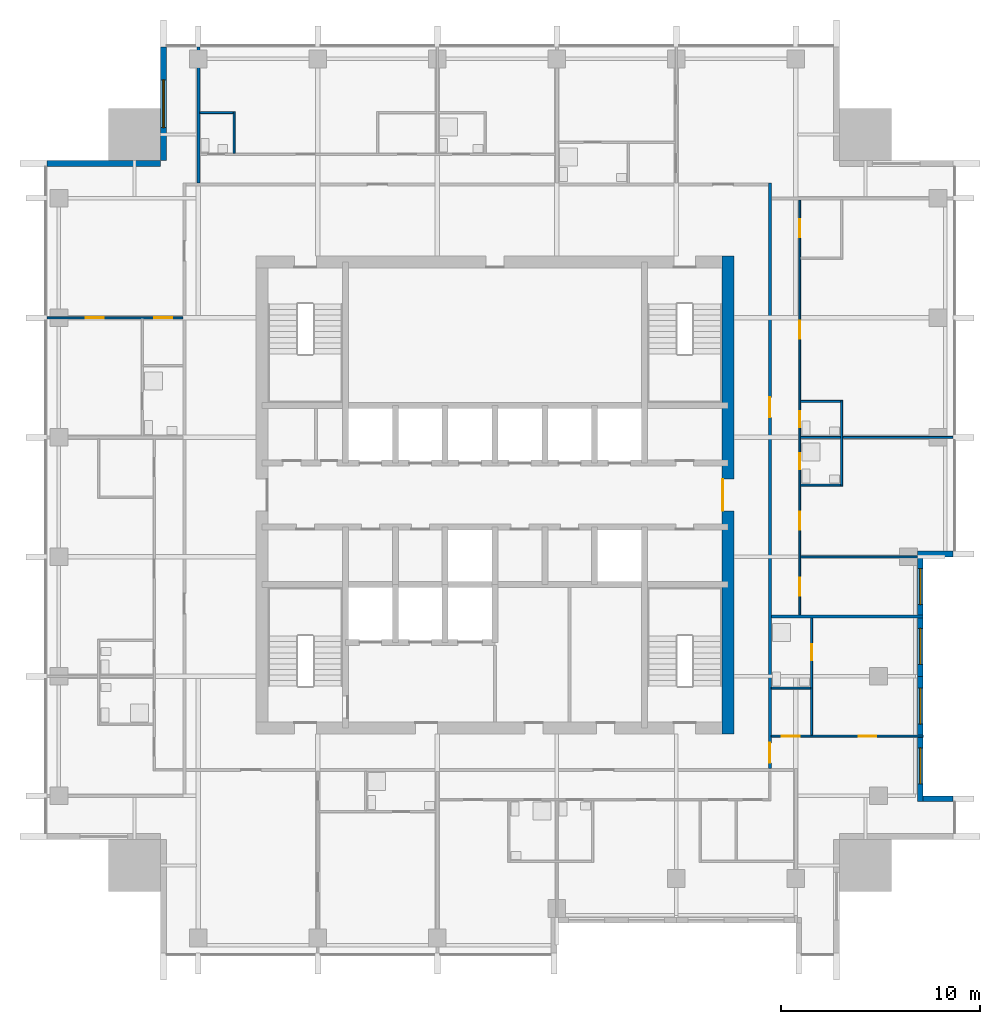
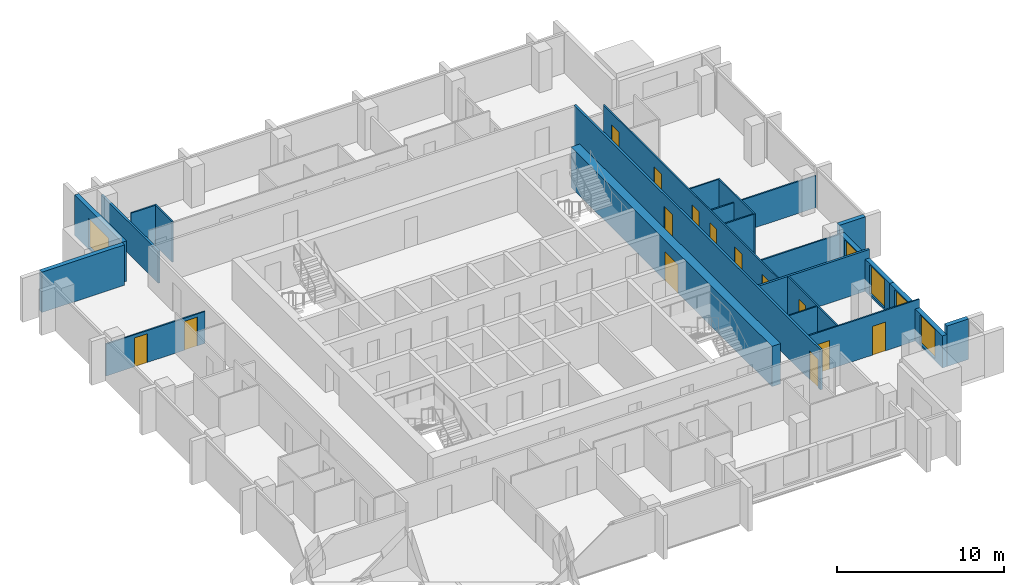
# One storey, part 6 of 10: 22 walls, 14 doors, 5 windows, 19 openings.
"""IFC4 building model written with IfcOpenShell, lengths in metres."""

from ifc_helpers import new_model, si_unit, direction, frame, frame_2d, origin, place, context, subcontext, project, spatial, rectangle, extrude, material, layer, layer_set, type_object, element, fill, save


model = new_model("IFC4")

# Units and contexts
model_context = context("Model", 3, precision=1e-05, world=origin(), true_north=direction((0.0, 1.0)))
body_context = subcontext(model_context, "Body", "Model", "MODEL_VIEW")
ifc_project = project(units=[si_unit("LENGTHUNIT", "METRE"), si_unit("AREAUNIT", "SQUARE_METRE"), si_unit("VOLUMEUNIT", "CUBIC_METRE"), si_unit("PLANEANGLEUNIT", "RADIAN"), si_unit("MASSUNIT", "GRAM", prefix="KILO")], contexts=[model_context])

# Site, building, storey
site_placement = place(None, origin())
site = spatial("IfcSite", under=ifc_project, at=site_placement, CompositionType="ELEMENT")
building_placement = place(site_placement, origin())
building = spatial("IfcBuilding", under=site, at=building_placement, Name="Amberfall Residences", CompositionType="ELEMENT")
storey_placement = place(building_placement, frame((0.0, 0.0, 226.60009765625)))
storey = spatial("IfcBuildingStorey", under=building, at=storey_placement, Name="L61", CompositionType="ELEMENT", Elevation=226.60009765625)

# Walls
ifc_material_1 = material(Name="Pale stone cladding on insulated backing", Category="masonry")
ifc_layer_1 = layer(ifc_material_1, 0.300048828125)
ifc_layer_set_1 = layer_set([ifc_layer_1], Name="Bronze clad wall 300")
wall_type_1 = type_object("IfcWallType", Name="Bronze clad wall 300", PredefinedType="SOLIDWALL", material=ifc_layer_set_1)
wall_1_placement = place(storey_placement, frame((97.5, 30.25, 0.0), z_axis=(0.0, 0.0, 1.0), x_axis=(-1.0, 0.0, 0.0)))
element("IfcWall", 1, at=wall_1_placement, inside=storey, type_object=wall_type_1, Name="External wall L61 E", PredefinedType="SOLIDWALL", context=body_context, shape_type="SweptSolid", body=[
    extrude(rectangle(XDim=1.5, YDim=0.300048828125, at=frame_2d((0.75, 0.0))), origin(), (0.0, 0.0, 1.0), 2.949951171875),
])
wall_2_placement = place(storey_placement, frame((95.699951171875, 42.550048828125, 0.0), z_axis=(0.0, 0.0, 1.0), x_axis=(1.0, 0.0, 0.0)))
element("IfcWall", 2, at=wall_2_placement, inside=storey, type_object=wall_type_1, Name="External wall L61 E", PredefinedType="SOLIDWALL", context=body_context, shape_type="SweptSolid", body=[
    extrude(rectangle(XDim=1.800048828125, YDim=0.300048828125, at=frame_2d((0.89990234375, 0.0))), origin(), (0.0, 0.0, 1.0), 2.949951171875),
])

# Wall, opening, window
wall_3_placement = place(storey_placement, frame((57.85009765625, 68.0, 0.0), z_axis=(0.0, 0.0, 1.0), x_axis=(0.0, -1.0, 0.0)))
wall_3 = element("IfcWall", 3, at=wall_3_placement, inside=storey, type_object=wall_type_1, Name="External wall L61 NW", PredefinedType="SOLIDWALL", context=body_context, shape_type="SweptSolid", body=[
    extrude(rectangle(XDim=5.699951171875, YDim=0.300048828125, at=frame_2d((2.85009765625, 0.0))), origin(), (0.0, 0.0, 1.0), 2.949951171875),
])
opening_1_placement = place(wall_3_placement, frame((1.64990234375, 0.0, 0.14990234375)))
opening_1 = element("IfcOpeningElement", 4, at=opening_1_placement, cuts=wall_3, Name="Opening WN5", PredefinedType="OPENING", context=body_context, shape_type="SweptSolid", body=[
    extrude(rectangle(XDim=2.39990234375, YDim=2.10009765625, at=frame_2d((1.199951171875, 1.050048828125))), frame((0.0, 0.159912109375, 0.0), z_axis=(0.0, -1.0, 0.0), x_axis=(1.0, 0.0, 0.0)), (0.0, 0.0, 1.0), 0.320068359375),
])
ifc_material_2 = material(Name="Bronze aluminium framed glazing", Category="aluminium")
window_type_1 = type_object("IfcWindowType", Name="Glazed opening 2400 x 2100 bronze", PartitioningType="DOUBLE_PANEL_VERTICAL", PredefinedType="WINDOW", material=ifc_material_2)
window_1_placement = place(opening_1_placement, origin())
window_1 = element("IfcWindow", 5, at=window_1_placement, inside=storey, type_object=window_type_1, Name="Window L61 NW", OverallHeight=2.10009765625, OverallWidth=2.39990234375, PartitioningType="DOUBLE_PANEL_VERTICAL", PredefinedType="WINDOW", context=body_context, shape_type="SweptSolid", body=[
    extrude(rectangle(XDim=2.39990234375, YDim=2.10009765625, at=frame_2d((1.199951171875, 1.050048828125))), frame((0.0, 0.030029296875, 0.0), z_axis=(0.0, -1.0, 0.0), x_axis=(1.0, 0.0, 0.0)), (0.0, 0.0, 1.0), 0.06005859375),
])
fill(opening_1, window_1)

# Wall
wall_4_placement = place(storey_placement, frame((57.699951171875, 62.14990234375, 0.0), z_axis=(0.0, 0.0, 1.0), x_axis=(-1.0, 0.0, 0.0)))
element("IfcWall", 6, at=wall_4_placement, inside=storey, type_object=wall_type_1, Name="External wall L61 NW", PredefinedType="SOLIDWALL", context=body_context, shape_type="SweptSolid", body=[
    extrude(rectangle(XDim=5.699951171875, YDim=0.300048828125, at=frame_2d((2.85009765625, 0.0))), origin(), (0.0, 0.0, 1.0), 2.949951171875),
])

# Wall, openings, windows
wall_5_placement = place(storey_placement, frame((95.85009765625, 30.10009765625, 0.0), z_axis=(0.0, 0.0, 1.0), x_axis=(0.0, 1.0, 0.0)))
wall_5 = element("IfcWall", 7, at=wall_5_placement, inside=storey, type_object=wall_type_1, Name="Stone wall L61 E", PredefinedType="SOLIDWALL", context=body_context, shape_type="SweptSolid", body=[
    extrude(rectangle(XDim=6.2998046875, YDim=0.300048828125, at=frame_2d((3.14990234375, 0.0))), origin(), (0.0, 0.0, 1.0), 2.34033203125),
])
opening_2_placement = place(wall_5_placement, frame((0.89990234375, 0.0, 0.14990234375)))
opening_2 = element("IfcOpeningElement", 8, at=opening_2_placement, cuts=wall_5, Name="Opening WN6", PredefinedType="OPENING", context=body_context, shape_type="SweptSolid", body=[
    extrude(rectangle(XDim=1.800048828125, YDim=2.10009765625, at=frame_2d((0.89990234375, 1.050048828125))), frame((0.0, 0.159912109375, 0.0), z_axis=(0.0, -1.0, 0.0), x_axis=(1.0, 0.0, 0.0)), (0.0, 0.0, 1.0), 0.320068359375),
])
opening_3_placement = place(wall_5_placement, frame((3.89990234375, 0.0, 0.14990234375)))
opening_3 = element("IfcOpeningElement", 9, at=opening_3_placement, cuts=wall_5, Name="Opening WN6", PredefinedType="OPENING", context=body_context, shape_type="SweptSolid", body=[
    extrude(rectangle(XDim=1.800048828125, YDim=2.10009765625, at=frame_2d((0.89990234375, 1.050048828125))), frame((0.0, 0.159912109375, 0.0), z_axis=(0.0, -1.0, 0.0), x_axis=(1.0, 0.0, 0.0)), (0.0, 0.0, 1.0), 0.320068359375),
])
window_type_2 = type_object("IfcWindowType", Name="Glazed opening 1800 x 2100 bronze", PartitioningType="DOUBLE_PANEL_VERTICAL", PredefinedType="WINDOW", material=ifc_material_2)
window_2_placement = place(opening_2_placement, origin())
window_2 = element("IfcWindow", 10, at=window_2_placement, inside=storey, type_object=window_type_2, Name="Window L61 E", OverallHeight=2.10009765625, OverallWidth=1.800048828125, PartitioningType="DOUBLE_PANEL_VERTICAL", PredefinedType="WINDOW", context=body_context, shape_type="SweptSolid", body=[
    extrude(rectangle(XDim=1.800048828125, YDim=2.10009765625, at=frame_2d((0.89990234375, 1.050048828125))), frame((0.0, 0.030029296875, 0.0), z_axis=(0.0, -1.0, 0.0), x_axis=(1.0, 0.0, 0.0)), (0.0, 0.0, 1.0), 0.06005859375),
])
fill(opening_2, window_2)
window_3_placement = place(opening_3_placement, origin())
window_3 = element("IfcWindow", 11, at=window_3_placement, inside=storey, type_object=window_type_2, Name="Window L61 E", OverallHeight=2.10009765625, OverallWidth=1.800048828125, PartitioningType="DOUBLE_PANEL_VERTICAL", PredefinedType="WINDOW", context=body_context, shape_type="SweptSolid", body=[
    extrude(rectangle(XDim=1.800048828125, YDim=2.10009765625, at=frame_2d((0.89990234375, 1.050048828125))), frame((0.0, 0.030029296875, 0.0), z_axis=(0.0, -1.0, 0.0), x_axis=(1.0, 0.0, 0.0)), (0.0, 0.0, 1.0), 0.06005859375),
])
fill(opening_3, window_3)

wall_6_placement = place(storey_placement, frame((95.85009765625, 36.39990234375, 0.0), z_axis=(0.0, 0.0, 1.0), x_axis=(0.0, 1.0, 0.0)))
wall_6 = element("IfcWall", 12, at=wall_6_placement, inside=storey, type_object=wall_type_1, Name="Stone wall L61 E", PredefinedType="SOLIDWALL", context=body_context, shape_type="SweptSolid", body=[
    extrude(rectangle(XDim=6.0, YDim=0.300048828125, at=frame_2d((3.0, 0.0))), origin(), (0.0, 0.0, 1.0), 2.34033203125),
])
opening_4_placement = place(wall_6_placement, frame((0.60009765625, 0.0, 0.14990234375)))
opening_4 = element("IfcOpeningElement", 13, at=opening_4_placement, cuts=wall_6, Name="Opening WN6", PredefinedType="OPENING", context=body_context, shape_type="SweptSolid", body=[
    extrude(rectangle(XDim=1.800048828125, YDim=2.10009765625, at=frame_2d((0.89990234375, 1.050048828125))), frame((0.0, 0.159912109375, 0.0), z_axis=(0.0, -1.0, 0.0), x_axis=(1.0, 0.0, 0.0)), (0.0, 0.0, 1.0), 0.320068359375),
])
opening_5_placement = place(wall_6_placement, frame((3.60009765625, 0.0, 0.14990234375)))
opening_5 = element("IfcOpeningElement", 14, at=opening_5_placement, cuts=wall_6, Name="Opening WN6", PredefinedType="OPENING", context=body_context, shape_type="SweptSolid", body=[
    extrude(rectangle(XDim=1.800048828125, YDim=2.10009765625, at=frame_2d((0.89990234375, 1.050048828125))), frame((0.0, 0.159912109375, 0.0), z_axis=(0.0, -1.0, 0.0), x_axis=(1.0, 0.0, 0.0)), (0.0, 0.0, 1.0), 0.320068359375),
])
window_4_placement = place(opening_4_placement, origin())
window_4 = element("IfcWindow", 15, at=window_4_placement, inside=storey, type_object=window_type_2, Name="Window L61 E", OverallHeight=2.10009765625, OverallWidth=1.800048828125, PartitioningType="DOUBLE_PANEL_VERTICAL", PredefinedType="WINDOW", context=body_context, shape_type="SweptSolid", body=[
    extrude(rectangle(XDim=1.800048828125, YDim=2.10009765625, at=frame_2d((0.89990234375, 1.050048828125))), frame((0.0, 0.030029296875, 0.0), z_axis=(0.0, -1.0, 0.0), x_axis=(1.0, 0.0, 0.0)), (0.0, 0.0, 1.0), 0.06005859375),
])
fill(opening_4, window_4)
window_5_placement = place(opening_5_placement, origin())
window_5 = element("IfcWindow", 16, at=window_5_placement, inside=storey, type_object=window_type_2, Name="Window L61 E", OverallHeight=2.10009765625, OverallWidth=1.800048828125, PartitioningType="DOUBLE_PANEL_VERTICAL", PredefinedType="WINDOW", context=body_context, shape_type="SweptSolid", body=[
    extrude(rectangle(XDim=1.800048828125, YDim=2.10009765625, at=frame_2d((0.89990234375, 1.050048828125))), frame((0.0, 0.030029296875, 0.0), z_axis=(0.0, -1.0, 0.0), x_axis=(1.0, 0.0, 0.0)), (0.0, 0.0, 1.0), 0.06005859375),
])
fill(opening_5, window_5)

# Wall, opening, door
ifc_material_3 = material(Name="Concrete C55", Category="concrete")
ifc_layer_2 = layer(ifc_material_3, 0.60009765625)
ifc_layer_set_2 = layer_set([ifc_layer_2], Name="Core wall 600 C55")
wall_type_2 = type_object("IfcWallType", Name="Core wall 600 C55", PredefinedType="SHEAR", material=ifc_layer_set_2)
wall_7_placement = place(storey_placement, frame((86.199951171875, 33.5, 0.0), z_axis=(0.0, 0.0, 1.0), x_axis=(0.0, 1.0, 0.0)))
wall_7 = element("IfcWall", 17, at=wall_7_placement, inside=storey, type_object=wall_type_2, Name="Core wall RW7 L61 OE", PredefinedType="SHEAR", context=body_context, shape_type="SweptSolid", body=[
    extrude(rectangle(XDim=24.0, YDim=0.60009765625, at=frame_2d((12.0, 0.0))), origin(), (0.0, 0.0, 1.0), 2.949951171875),
])
opening_6_placement = place(wall_7_placement, frame((11.199951171875, 0.0, 0.0)))
opening_6 = element("IfcOpeningElement", 18, at=opening_6_placement, cuts=wall_7, Name="Opening LB1", PredefinedType="OPENING", context=body_context, shape_type="SweptSolid", body=[
    extrude(rectangle(XDim=1.60009765625, YDim=2.10009765625, at=frame_2d((0.800048828125, 1.050048828125))), frame((0.0, 0.31005859375, 0.0), z_axis=(0.0, -1.0, 0.0), x_axis=(1.0, 0.0, 0.0)), (0.0, 0.0, 1.0), 0.6201171875),
])
ifc_material_4 = material(Name="Steel fire door set", Category="steel")
door_type_1 = type_object("IfcDoorType", Name="Lift lobby double door 1600 x 2100", OperationType="DOUBLE_DOOR_SINGLE_SWING", PredefinedType="DOOR", material=ifc_material_4)
door_1_placement = place(opening_6_placement, origin())
door_1 = element("IfcDoor", 19, at=door_1_placement, inside=storey, type_object=door_type_1, Name="LB1 L61", OperationType="DOUBLE_DOOR_SINGLE_SWING", OverallHeight=2.10009765625, OverallWidth=1.60009765625, PredefinedType="DOOR", context=body_context, shape_type="SweptSolid", body=[
    extrude(rectangle(XDim=1.60009765625, YDim=2.10009765625, at=frame_2d((0.800048828125, 1.050048828125))), frame((0.0, 0.28759765625, 0.0), z_axis=(0.0, -1.0, 0.0), x_axis=(1.0, 0.0, 0.0)), (0.0, 0.0, 1.0), 0.050048828125),
])
fill(opening_6, door_1)

# Wall
ifc_material_5 = material(Name="Gypsum board on metal stud")
ifc_layer_3 = layer(ifc_material_5, 0.10009765625)
ifc_layer_set_3 = layer_set([ifc_layer_3], Name="Flat partition 100")
wall_type_3 = type_object("IfcWallType", Name="Flat partition 100", PredefinedType="PARTITIONING", material=ifc_layer_set_3)
wall_8_placement = place(storey_placement, frame((61.39990234375, 62.64990234375, 0.0), z_axis=(0.0, 0.0, 1.0), x_axis=(0.0, 1.0, 0.0)))
element("IfcWall", 20, at=wall_8_placement, inside=storey, type_object=wall_type_3, Name="Partition 005", PredefinedType="PARTITIONING", context=body_context, shape_type="SweptSolid", body=[
    extrude(rectangle(XDim=2.10009765625, YDim=0.10009765625, at=frame_2d((1.050048828125, 0.0))), origin(), (0.0, 0.0, 1.0), 2.949951171875),
])

# Wall, openings, doors
wall_9_placement = place(storey_placement, frame((89.800048828125, 60.324951171875, 0.0), z_axis=(0.0, 0.0, 1.0), x_axis=(0.0, -1.0, 0.0)))
wall_9 = element("IfcWall", 21, at=wall_9_placement, inside=storey, type_object=wall_type_3, Name="Partition 019", PredefinedType="PARTITIONING", context=body_context, shape_type="SweptSolid", body=[
    extrude(rectangle(XDim=20.849853515625, YDim=0.10009765625, at=frame_2d((10.4248046875, 0.0))), origin(), (0.0, 0.0, 1.0), 2.949951171875),
])
opening_7_placement = place(wall_9_placement, frame((6.074951171875, 0.0, 0.0)))
opening_7 = element("IfcOpeningElement", 22, at=opening_7_placement, cuts=wall_9, Name="Opening D41", PredefinedType="OPENING", context=body_context, shape_type="SweptSolid", body=[
    extrude(rectangle(XDim=0.89990234375, YDim=2.10009765625, at=frame_2d((0.449951171875, 1.050048828125))), frame((0.0, 0.06005859375, 0.0), z_axis=(0.0, -1.0, 0.0), x_axis=(1.0, 0.0, 0.0)), (0.0, 0.0, 1.0), 0.1201171875),
])
opening_8_placement = place(wall_9_placement, frame((0.97509765625, 0.0, 0.0)))
opening_8 = element("IfcOpeningElement", 23, at=opening_8_placement, cuts=wall_9, Name="Opening D41", PredefinedType="OPENING", context=body_context, shape_type="SweptSolid", body=[
    extrude(rectangle(XDim=0.89990234375, YDim=2.10009765625, at=frame_2d((0.449951171875, 1.050048828125))), frame((0.0, 0.06005859375, 0.0), z_axis=(0.0, -1.0, 0.0), x_axis=(1.0, 0.0, 0.0)), (0.0, 0.0, 1.0), 0.1201171875),
])
opening_9_placement = place(wall_9_placement, frame((10.625, 0.0, 0.0)))
opening_9 = element("IfcOpeningElement", 24, at=opening_9_placement, cuts=wall_9, Name="Opening D42", PredefinedType="OPENING", context=body_context, shape_type="SweptSolid", body=[
    extrude(rectangle(XDim=0.800048828125, YDim=2.10009765625, at=frame_2d((0.39990234375, 1.050048828125))), frame((0.0, 0.06005859375, 0.0), z_axis=(0.0, -1.0, 0.0), x_axis=(1.0, 0.0, 0.0)), (0.0, 0.0, 1.0), 0.1201171875),
])
opening_10_placement = place(wall_9_placement, frame((18.97509765625, 0.0, 0.0)))
opening_10 = element("IfcOpeningElement", 25, at=opening_10_placement, cuts=wall_9, Name="Opening D41", PredefinedType="OPENING", context=body_context, shape_type="SweptSolid", body=[
    extrude(rectangle(XDim=0.89990234375, YDim=2.10009765625, at=frame_2d((0.449951171875, 1.050048828125))), frame((0.0, 0.06005859375, 0.0), z_axis=(0.0, -1.0, 0.0), x_axis=(1.0, 0.0, 0.0)), (0.0, 0.0, 1.0), 0.1201171875),
])
opening_11_placement = place(wall_9_placement, frame((15.675048828125, 0.0, 0.0)))
opening_11 = element("IfcOpeningElement", 26, at=opening_11_placement, cuts=wall_9, Name="Opening D41", PredefinedType="OPENING", context=body_context, shape_type="SweptSolid", body=[
    extrude(rectangle(XDim=0.89990234375, YDim=2.10009765625, at=frame_2d((0.449951171875, 1.050048828125))), frame((0.0, 0.06005859375, 0.0), z_axis=(0.0, -1.0, 0.0), x_axis=(1.0, 0.0, 0.0)), (0.0, 0.0, 1.0), 0.1201171875),
])
opening_12_placement = place(wall_9_placement, frame((12.72509765625, 0.0, 0.0)))
opening_12 = element("IfcOpeningElement", 27, at=opening_12_placement, cuts=wall_9, Name="Opening D42", PredefinedType="OPENING", context=body_context, shape_type="SweptSolid", body=[
    extrude(rectangle(XDim=0.800048828125, YDim=2.10009765625, at=frame_2d((0.39990234375, 1.050048828125))), frame((0.0, 0.06005859375, 0.0), z_axis=(0.0, -1.0, 0.0), x_axis=(1.0, 0.0, 0.0)), (0.0, 0.0, 1.0), 0.1201171875),
])
ifc_material_6 = material(Name="Timber", Category="wood")
door_type_2 = type_object("IfcDoorType", Name="Bathroom door 800 x 2100", OperationType="SINGLE_SWING_LEFT", PredefinedType="DOOR", material=ifc_material_6)
door_2_placement = place(opening_9_placement, origin())
door_2 = element("IfcDoor", 28, at=door_2_placement, inside=storey, type_object=door_type_2, Name="Door 6104 wc1", OperationType="SINGLE_SWING_LEFT", OverallHeight=2.10009765625, OverallWidth=0.800048828125, PredefinedType="DOOR", context=body_context, shape_type="SweptSolid", body=[
    extrude(rectangle(XDim=0.800048828125, YDim=2.10009765625, at=frame_2d((0.39990234375, 1.050048828125))), frame((0.0, 0.02490234375, 0.0), z_axis=(0.0, -1.0, 0.0), x_axis=(1.0, 0.0, 0.0)), (0.0, 0.0, 1.0), 0.050048828125),
])
fill(opening_9, door_2)
door_3_placement = place(opening_12_placement, origin())
door_3 = element("IfcDoor", 29, at=door_3_placement, inside=storey, type_object=door_type_2, Name="Door 6104 bath1", OperationType="SINGLE_SWING_LEFT", OverallHeight=2.10009765625, OverallWidth=0.800048828125, PredefinedType="DOOR", context=body_context, shape_type="SweptSolid", body=[
    extrude(rectangle(XDim=0.800048828125, YDim=2.10009765625, at=frame_2d((0.39990234375, 1.050048828125))), frame((0.0, 0.02490234375, 0.0), z_axis=(0.0, -1.0, 0.0), x_axis=(1.0, 0.0, 0.0)), (0.0, 0.0, 1.0), 0.050048828125),
])
fill(opening_12, door_3)
door_type_3 = type_object("IfcDoorType", Name="Internal door 900 x 2100", OperationType="SINGLE_SWING_LEFT", PredefinedType="DOOR", material=ifc_material_6)
door_4_placement = place(opening_7_placement, origin())
door_4 = element("IfcDoor", 30, at=door_4_placement, inside=storey, type_object=door_type_3, Name="Door 6104 living", OperationType="SINGLE_SWING_LEFT", OverallHeight=2.10009765625, OverallWidth=0.89990234375, PredefinedType="DOOR", context=body_context, shape_type="SweptSolid", body=[
    extrude(rectangle(XDim=0.89990234375, YDim=2.10009765625, at=frame_2d((0.449951171875, 1.050048828125))), frame((0.0, 0.02490234375, 0.0), z_axis=(0.0, -1.0, 0.0), x_axis=(1.0, 0.0, 0.0)), (0.0, 0.0, 1.0), 0.050048828125),
])
fill(opening_7, door_4)
door_5_placement = place(opening_8_placement, origin())
door_5 = element("IfcDoor", 31, at=door_5_placement, inside=storey, type_object=door_type_3, Name="Door 6104 kitchen", OperationType="SINGLE_SWING_LEFT", OverallHeight=2.10009765625, OverallWidth=0.89990234375, PredefinedType="DOOR", context=body_context, shape_type="SweptSolid", body=[
    extrude(rectangle(XDim=0.89990234375, YDim=2.10009765625, at=frame_2d((0.449951171875, 1.050048828125))), frame((0.0, 0.02490234375, 0.0), z_axis=(0.0, -1.0, 0.0), x_axis=(1.0, 0.0, 0.0)), (0.0, 0.0, 1.0), 0.050048828125),
])
fill(opening_8, door_5)
door_6_placement = place(opening_10_placement, origin())
door_6 = element("IfcDoor", 32, at=door_6_placement, inside=storey, type_object=door_type_3, Name="Door 6104 bedroom1", OperationType="SINGLE_SWING_LEFT", OverallHeight=2.10009765625, OverallWidth=0.89990234375, PredefinedType="DOOR", context=body_context, shape_type="SweptSolid", body=[
    extrude(rectangle(XDim=0.89990234375, YDim=2.10009765625, at=frame_2d((0.449951171875, 1.050048828125))), frame((0.0, 0.02490234375, 0.0), z_axis=(0.0, -1.0, 0.0), x_axis=(1.0, 0.0, 0.0)), (0.0, 0.0, 1.0), 0.050048828125),
])
fill(opening_10, door_6)
door_7_placement = place(opening_11_placement, origin())
door_7 = element("IfcDoor", 33, at=door_7_placement, inside=storey, type_object=door_type_3, Name="Door 6104 bedroom2", OperationType="SINGLE_SWING_LEFT", OverallHeight=2.10009765625, OverallWidth=0.89990234375, PredefinedType="DOOR", context=body_context, shape_type="SweptSolid", body=[
    extrude(rectangle(XDim=0.89990234375, YDim=2.10009765625, at=frame_2d((0.449951171875, 1.050048828125))), frame((0.0, 0.02490234375, 0.0), z_axis=(0.0, -1.0, 0.0), x_axis=(1.0, 0.0, 0.0)), (0.0, 0.0, 1.0), 0.050048828125),
])
fill(opening_11, door_7)

# Wall, opening, door
wall_10_placement = place(storey_placement, frame((90.39990234375, 33.449951171875, 0.0), z_axis=(0.0, 0.0, 1.0), x_axis=(0.0, 1.0, 0.0)))
wall_10 = element("IfcWall", 34, at=wall_10_placement, inside=storey, type_object=wall_type_3, Name="Partition 020", PredefinedType="PARTITIONING", context=body_context, shape_type="SweptSolid", body=[
    extrude(rectangle(XDim=5.875, YDim=0.10009765625, at=frame_2d((2.9375, 0.0))), origin(), (0.0, 0.0, 1.0), 2.949951171875),
])
opening_13_placement = place(wall_10_placement, frame((3.75, 0.0, 0.0)))
opening_13 = element("IfcOpeningElement", 35, at=opening_13_placement, cuts=wall_10, Name="Opening D42", PredefinedType="OPENING", context=body_context, shape_type="SweptSolid", body=[
    extrude(rectangle(XDim=0.800048828125, YDim=2.10009765625, at=frame_2d((0.39990234375, 1.050048828125))), frame((0.0, 0.06005859375, 0.0), z_axis=(0.0, -1.0, 0.0), x_axis=(1.0, 0.0, 0.0)), (0.0, 0.0, 1.0), 0.1201171875),
])
door_8_placement = place(opening_13_placement, origin())
door_8 = element("IfcDoor", 36, at=door_8_placement, inside=storey, type_object=door_type_2, Name="Door 6103 bath1", OperationType="SINGLE_SWING_LEFT", OverallHeight=2.10009765625, OverallWidth=0.800048828125, PredefinedType="DOOR", context=body_context, shape_type="SweptSolid", body=[
    extrude(rectangle(XDim=0.800048828125, YDim=2.10009765625, at=frame_2d((0.39990234375, 1.050048828125))), frame((0.0, 0.02490234375, 0.0), z_axis=(0.0, -1.0, 0.0), x_axis=(1.0, 0.0, 0.0)), (0.0, 0.0, 1.0), 0.050048828125),
])
fill(opening_13, door_8)

# Walls
wall_11_placement = place(storey_placement, frame((91.89990234375, 45.949951171875, 0.0), z_axis=(0.0, 0.0, 1.0), x_axis=(0.0, 1.0, 0.0)))
element("IfcWall", 37, at=wall_11_placement, inside=storey, type_object=wall_type_3, Name="Partition 021", PredefinedType="PARTITIONING", context=body_context, shape_type="SweptSolid", body=[
    extrude(rectangle(XDim=4.300048828125, YDim=0.10009765625, at=frame_2d((2.14990234375, 0.0))), origin(), (0.0, 0.0, 1.0), 2.949951171875),
])
wall_12_placement = place(storey_placement, frame((59.675048828125, 64.699951171875, 0.0), z_axis=(0.0, 0.0, 1.0), x_axis=(1.0, 0.0, 0.0)))
element("IfcWall", 38, at=wall_12_placement, inside=storey, type_object=wall_type_3, Name="Partition 023", PredefinedType="PARTITIONING", context=body_context, shape_type="SweptSolid", body=[
    extrude(rectangle(XDim=1.675048828125, YDim=0.10009765625, at=frame_2d((0.83740234375, 0.0))), origin(), (0.0, 0.0, 1.0), 2.949951171875),
])

# Wall, openings, doors
wall_13_placement = place(storey_placement, frame((58.824951171875, 54.39990234375, 0.0), z_axis=(0.0, 0.0, 1.0), x_axis=(-1.0, 0.0, 0.0)))
wall_13 = element("IfcWall", 39, at=wall_13_placement, inside=storey, type_object=wall_type_3, Name="Partition 028", PredefinedType="PARTITIONING", context=body_context, shape_type="SweptSolid", body=[
    extrude(rectangle(XDim=6.824951171875, YDim=0.10009765625, at=frame_2d((3.41259765625, 0.0))), origin(), (0.0, 0.0, 1.0), 2.331787109375),
])
opening_14_placement = place(wall_13_placement, frame((0.52490234375, 0.0, 0.0)))
opening_14 = element("IfcOpeningElement", 40, at=opening_14_placement, cuts=wall_13, Name="Opening D41", PredefinedType="OPENING", context=body_context, shape_type="SweptSolid", body=[
    extrude(rectangle(XDim=0.89990234375, YDim=2.10009765625, at=frame_2d((0.449951171875, 1.050048828125))), frame((0.0, 0.06005859375, 0.0), z_axis=(0.0, -1.0, 0.0), x_axis=(1.0, 0.0, 0.0)), (0.0, 0.0, 1.0), 0.1201171875),
])
opening_15_placement = place(wall_13_placement, frame((3.97509765625, 0.0, 0.0)))
opening_15 = element("IfcOpeningElement", 41, at=opening_15_placement, cuts=wall_13, Name="Opening D41", PredefinedType="OPENING", context=body_context, shape_type="SweptSolid", body=[
    extrude(rectangle(XDim=0.89990234375, YDim=2.10009765625, at=frame_2d((0.449951171875, 1.050048828125))), frame((0.0, 0.06005859375, 0.0), z_axis=(0.0, -1.0, 0.0), x_axis=(1.0, 0.0, 0.0)), (0.0, 0.0, 1.0), 0.1201171875),
])
door_9_placement = place(opening_14_placement, origin())
door_9 = element("IfcDoor", 42, at=door_9_placement, inside=storey, type_object=door_type_3, Name="Door 6108 kitchen", OperationType="SINGLE_SWING_LEFT", OverallHeight=2.10009765625, OverallWidth=0.89990234375, PredefinedType="DOOR", context=body_context, shape_type="SweptSolid", body=[
    extrude(rectangle(XDim=0.89990234375, YDim=2.10009765625, at=frame_2d((0.449951171875, 1.050048828125))), frame((0.0, 0.02490234375, 0.0), z_axis=(0.0, -1.0, 0.0), x_axis=(1.0, 0.0, 0.0)), (0.0, 0.0, 1.0), 0.050048828125),
])
fill(opening_14, door_9)
door_10_placement = place(opening_15_placement, origin())
door_10 = element("IfcDoor", 43, at=door_10_placement, inside=storey, type_object=door_type_3, Name="Door 6108 bedroom1", OperationType="SINGLE_SWING_LEFT", OverallHeight=2.10009765625, OverallWidth=0.89990234375, PredefinedType="DOOR", context=body_context, shape_type="SweptSolid", body=[
    extrude(rectangle(XDim=0.89990234375, YDim=2.10009765625, at=frame_2d((0.449951171875, 1.050048828125))), frame((0.0, 0.02490234375, 0.0), z_axis=(0.0, -1.0, 0.0), x_axis=(1.0, 0.0, 0.0)), (0.0, 0.0, 1.0), 0.050048828125),
])
fill(opening_15, door_10)

# Walls
wall_14_placement = place(storey_placement, frame((89.85009765625, 50.199951171875, 0.0), z_axis=(0.0, 0.0, 1.0), x_axis=(1.0, 0.0, 0.0)))
element("IfcWall", 44, at=wall_14_placement, inside=storey, type_object=wall_type_3, Name="Partition 030", PredefinedType="PARTITIONING", context=body_context, shape_type="SweptSolid", body=[
    extrude(rectangle(XDim=2.0, YDim=0.10009765625, at=frame_2d((1.0, 0.0))), origin(), (0.0, 0.0, 1.0), 2.949951171875),
])
wall_15_placement = place(storey_placement, frame((89.85009765625, 48.39990234375, 0.0), z_axis=(0.0, 0.0, 1.0), x_axis=(1.0, 0.0, 0.0)))
element("IfcWall", 45, at=wall_15_placement, inside=storey, type_object=wall_type_3, Name="Partition 031", PredefinedType="PARTITIONING", context=body_context, shape_type="SweptSolid", body=[
    extrude(rectangle(XDim=7.64990234375, YDim=0.10009765625, at=frame_2d((3.824951171875, 0.0))), origin(), (0.0, 0.0, 1.0), 2.331787109375),
])
wall_16_placement = place(storey_placement, frame((89.85009765625, 46.0, 0.0), z_axis=(0.0, 0.0, 1.0), x_axis=(1.0, 0.0, 0.0)))
element("IfcWall", 46, at=wall_16_placement, inside=storey, type_object=wall_type_3, Name="Partition 032", PredefinedType="PARTITIONING", context=body_context, shape_type="SweptSolid", body=[
    extrude(rectangle(XDim=2.0, YDim=0.10009765625, at=frame_2d((1.0, 0.0))), origin(), (0.0, 0.0, 1.0), 2.949951171875),
])
wall_17_placement = place(storey_placement, frame((89.85009765625, 42.39990234375, 0.0), z_axis=(0.0, 0.0, 1.0), x_axis=(1.0, 0.0, 0.0)))
element("IfcWall", 47, at=wall_17_placement, inside=storey, type_object=wall_type_3, Name="Partition 034", PredefinedType="PARTITIONING", context=body_context, shape_type="SweptSolid", body=[
    extrude(rectangle(XDim=6.14990234375, YDim=0.10009765625, at=frame_2d((3.074951171875, 0.0))), origin(), (0.0, 0.0, 1.0), 2.331787109375),
])
wall_18_placement = place(storey_placement, frame((88.375, 35.800048828125, 0.0), z_axis=(0.0, 0.0, 1.0), x_axis=(1.0, 0.0, 0.0)))
element("IfcWall", 48, at=wall_18_placement, inside=storey, type_object=wall_type_3, Name="Partition 037", PredefinedType="PARTITIONING", context=body_context, shape_type="SweptSolid", body=[
    extrude(rectangle(XDim=1.97509765625, YDim=0.10009765625, at=frame_2d((0.987548828125, 0.0))), origin(), (0.0, 0.0, 1.0), 2.949951171875),
])

# Wall, openings, doors
wall_19_placement = place(storey_placement, frame((88.375, 33.39990234375, 0.0), z_axis=(0.0, 0.0, 1.0), x_axis=(1.0, 0.0, 0.0)))
wall_19 = element("IfcWall", 49, at=wall_19_placement, inside=storey, type_object=wall_type_3, Name="Partition 039", PredefinedType="PARTITIONING", context=body_context, shape_type="SweptSolid", body=[
    extrude(rectangle(XDim=7.625, YDim=0.10009765625, at=frame_2d((3.8125, 0.0))), origin(), (0.0, 0.0, 1.0), 2.949951171875),
])
opening_16_placement = place(wall_19_placement, frame((0.52490234375, 0.0, 0.0)))
opening_16 = element("IfcOpeningElement", 50, at=opening_16_placement, cuts=wall_19, Name="Opening D41", PredefinedType="OPENING", context=body_context, shape_type="SweptSolid", body=[
    extrude(rectangle(XDim=0.89990234375, YDim=2.10009765625, at=frame_2d((0.449951171875, 1.050048828125))), frame((0.0, 0.06005859375, 0.0), z_axis=(0.0, -1.0, 0.0), x_axis=(1.0, 0.0, 0.0)), (0.0, 0.0, 1.0), 0.1201171875),
])
opening_17_placement = place(wall_19_placement, frame((4.375, 0.0, 0.0)))
opening_17 = element("IfcOpeningElement", 51, at=opening_17_placement, cuts=wall_19, Name="Opening D41", PredefinedType="OPENING", context=body_context, shape_type="SweptSolid", body=[
    extrude(rectangle(XDim=0.89990234375, YDim=2.10009765625, at=frame_2d((0.449951171875, 1.050048828125))), frame((0.0, 0.06005859375, 0.0), z_axis=(0.0, -1.0, 0.0), x_axis=(1.0, 0.0, 0.0)), (0.0, 0.0, 1.0), 0.1201171875),
])
door_11_placement = place(opening_16_placement, origin())
door_11 = element("IfcDoor", 52, at=door_11_placement, inside=storey, type_object=door_type_3, Name="Door 6103 kitchen", OperationType="SINGLE_SWING_LEFT", OverallHeight=2.10009765625, OverallWidth=0.89990234375, PredefinedType="DOOR", context=body_context, shape_type="SweptSolid", body=[
    extrude(rectangle(XDim=0.89990234375, YDim=2.10009765625, at=frame_2d((0.449951171875, 1.050048828125))), frame((0.0, 0.02490234375, 0.0), z_axis=(0.0, -1.0, 0.0), x_axis=(1.0, 0.0, 0.0)), (0.0, 0.0, 1.0), 0.050048828125),
])
fill(opening_16, door_11)
door_12_placement = place(opening_17_placement, origin())
door_12 = element("IfcDoor", 53, at=door_12_placement, inside=storey, type_object=door_type_3, Name="Door 6103 bedroom1", OperationType="SINGLE_SWING_LEFT", OverallHeight=2.10009765625, OverallWidth=0.89990234375, PredefinedType="DOOR", context=body_context, shape_type="SweptSolid", body=[
    extrude(rectangle(XDim=0.89990234375, YDim=2.10009765625, at=frame_2d((0.449951171875, 1.050048828125))), frame((0.0, 0.02490234375, 0.0), z_axis=(0.0, -1.0, 0.0), x_axis=(1.0, 0.0, 0.0)), (0.0, 0.0, 1.0), 0.050048828125),
])
fill(opening_17, door_12)

# Wall
ifc_material_7 = material(Name="Blockwork, plastered", Category="masonry")
ifc_layer_4 = layer(ifc_material_7, 0.14990234375)
ifc_layer_set_4 = layer_set([ifc_layer_4], Name="Flat separating wall 150")
wall_type_4 = type_object("IfcWallType", Name="Flat separating wall 150", PredefinedType="PARTITIONING", material=ifc_layer_set_4)
wall_20_placement = place(storey_placement, frame((59.60009765625, 61.175048828125, 0.0), z_axis=(0.0, 0.0, 1.0), x_axis=(0.0, 1.0, 0.0)))
element("IfcWall", 54, at=wall_20_placement, inside=storey, type_object=wall_type_4, Name="Separating wall 046", PredefinedType="PARTITIONING", context=body_context, shape_type="SweptSolid", body=[
    extrude(rectangle(XDim=6.824951171875, YDim=0.14990234375, at=frame_2d((3.41259765625, 0.0))), origin(), (0.0, 0.0, 1.0), 2.331787109375),
])

# Wall, openings, doors
wall_21_placement = place(storey_placement, frame((88.300048828125, 61.175048828125, 0.0), z_axis=(0.0, 0.0, 1.0), x_axis=(0.0, -1.0, 0.0)))
wall_21 = element("IfcWall", 55, at=wall_21_placement, inside=storey, type_object=wall_type_4, Name="Separating wall 049", PredefinedType="PARTITIONING", context=body_context, shape_type="SweptSolid", body=[
    extrude(rectangle(XDim=29.400146484375, YDim=0.14990234375, at=frame_2d((14.7001953125, 0.0))), origin(), (0.0, 0.0, 1.0), 2.949951171875),
])
opening_18_placement = place(wall_21_placement, frame((28.125, 0.0, 0.0)))
opening_18 = element("IfcOpeningElement", 56, at=opening_18_placement, cuts=wall_21, Name="Opening D40", PredefinedType="OPENING", context=body_context, shape_type="SweptSolid", body=[
    extrude(rectangle(XDim=1.0, YDim=2.10009765625, at=frame_2d((0.5, 1.050048828125))), frame((0.0, 0.0849609375, 0.0), z_axis=(0.0, -1.0, 0.0), x_axis=(1.0, 0.0, 0.0)), (0.0, 0.0, 1.0), 0.169921875),
])
opening_19_placement = place(wall_21_placement, frame((10.77490234375, 0.0, 0.0)))
opening_19 = element("IfcOpeningElement", 57, at=opening_19_placement, cuts=wall_21, Name="Opening D40", PredefinedType="OPENING", context=body_context, shape_type="SweptSolid", body=[
    extrude(rectangle(XDim=1.0, YDim=2.10009765625, at=frame_2d((0.5, 1.050048828125))), frame((0.0, 0.0849609375, 0.0), z_axis=(0.0, -1.0, 0.0), x_axis=(1.0, 0.0, 0.0)), (0.0, 0.0, 1.0), 0.169921875),
])
ifc_material_8 = material(Name="Timber, fire-rated", Category="wood")
door_type_4 = type_object("IfcDoorType", Name="Flat entrance door FD60 1000 x 2100", OperationType="SINGLE_SWING_LEFT", PredefinedType="DOOR", material=ifc_material_8)
door_13_placement = place(opening_18_placement, origin())
door_13 = element("IfcDoor", 58, at=door_13_placement, inside=storey, type_object=door_type_4, Name="Door 6103 entrance", OperationType="SINGLE_SWING_LEFT", OverallHeight=2.10009765625, OverallWidth=1.0, PredefinedType="DOOR", context=body_context, shape_type="SweptSolid", body=[
    extrude(rectangle(XDim=1.0, YDim=2.10009765625, at=frame_2d((0.5, 1.050048828125))), frame((0.0, 0.02490234375, 0.0), z_axis=(0.0, -1.0, 0.0), x_axis=(1.0, 0.0, 0.0)), (0.0, 0.0, 1.0), 0.050048828125),
])
fill(opening_18, door_13)
door_14_placement = place(opening_19_placement, origin())
door_14 = element("IfcDoor", 59, at=door_14_placement, inside=storey, type_object=door_type_4, Name="Door 6104 entrance", OperationType="SINGLE_SWING_LEFT", OverallHeight=2.10009765625, OverallWidth=1.0, PredefinedType="DOOR", context=body_context, shape_type="SweptSolid", body=[
    extrude(rectangle(XDim=1.0, YDim=2.10009765625, at=frame_2d((0.5, 1.050048828125))), frame((0.0, 0.02490234375, 0.0), z_axis=(0.0, -1.0, 0.0), x_axis=(1.0, 0.0, 0.0)), (0.0, 0.0, 1.0), 0.050048828125),
])
fill(opening_19, door_14)

# Wall
wall_22_placement = place(storey_placement, frame((88.375, 39.39990234375, 0.0), z_axis=(0.0, 0.0, 1.0), x_axis=(1.0, 0.0, 0.0)))
element("IfcWall", 60, at=wall_22_placement, inside=storey, type_object=wall_type_4, Name="Separating wall 054", PredefinedType="PARTITIONING", context=body_context, shape_type="SweptSolid", body=[
    extrude(rectangle(XDim=7.625, YDim=0.14990234375, at=frame_2d((3.8125, 0.0))), origin(), (0.0, 0.0, 1.0), 2.949951171875),
])

save(model, "model.ifc")
